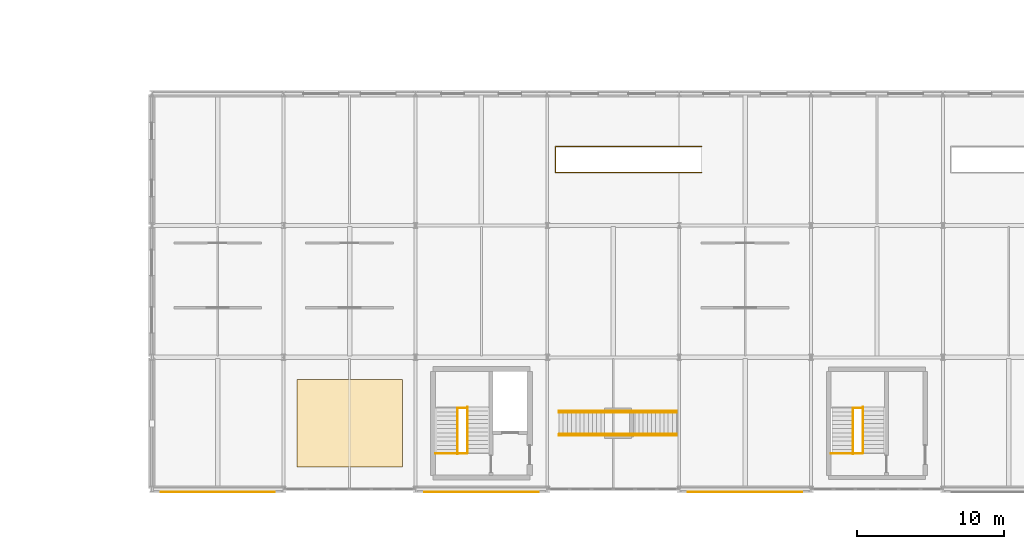
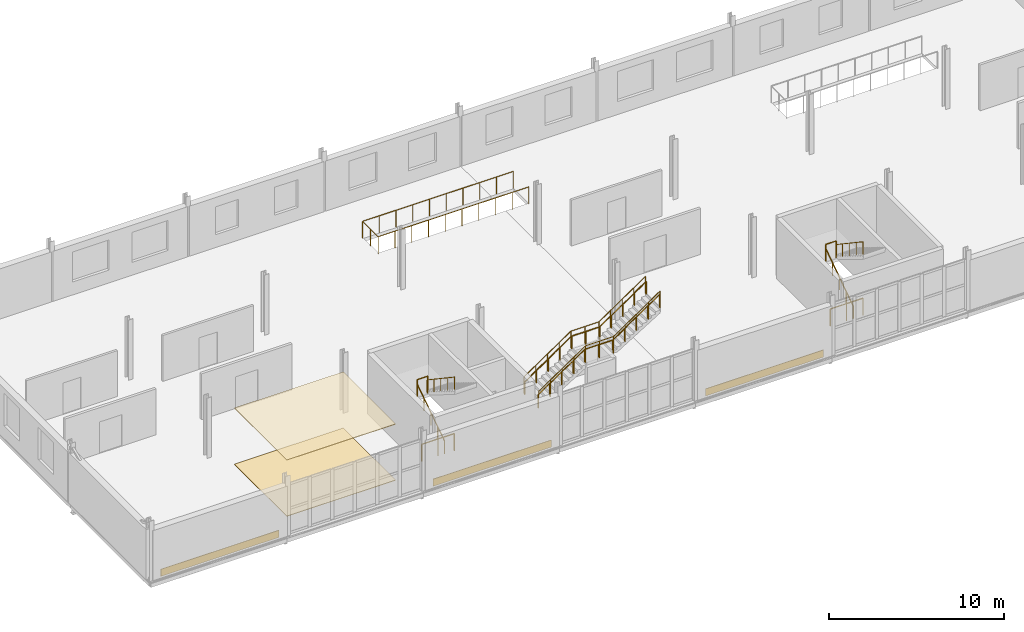
# One storey, part 151 of 161: 13 railings, 5 coverings.
"""IFC4 building model written with IfcOpenShell, lengths in metres."""

import ifcopenshell
import ifcopenshell.guid

model = None  # the IFC model being written
_history = None  # IfcOwnerHistory: only IFC2X3 demands one
_inside = {}  # id of a spatial element -> (the spatial element, [elements in it])
_under = {}  # id of a project, library or spatial element -> (it, [spatial elements below it])
_declared = {}  # id of a project -> (the project, [libraries it declares])
_typed = {}  # id of a type object -> (the type object, [elements of that type])
_made_of = {}  # id of a material, layer set ... -> (it, [elements and type objects made of it])


def new_model(schema):
    """Start an empty IFC model of exactly this schema.

    Asked for "IFC4X3", IfcOpenShell would pick the latest addendum, in which some entities
    have other attributes; the version numbers below select the first issue.
    IFC2X3 requires an IfcOwnerHistory on every rooted entity: one is made here for all.
    """
    global model, _history
    if schema == "IFC4X3":
        model = ifcopenshell.file(schema_version=(4, 3, 0, 0))
    else:
        model = ifcopenshell.file(schema=schema)
    _inside.clear()
    _under.clear()
    _declared.clear()
    _typed.clear()
    _made_of.clear()
    _history = None
    if model.schema == "IFC2X3":
        org = make("IfcOrganization", Name="unknown")
        user = make(
            "IfcPersonAndOrganization",
            ThePerson=make("IfcPerson", FamilyName="unknown"),
            TheOrganization=org,
        )
        app = make(
            "IfcApplication",
            ApplicationDeveloper=org,
            Version="unknown",
            ApplicationFullName="unknown",
            ApplicationIdentifier="unknown",
        )
        _history = make(
            "IfcOwnerHistory",
            OwningUser=user,
            OwningApplication=app,
            ChangeAction="ADDED",
            CreationDate=0,
        )
    return model


def make(cls, **values):
    """One entity of the class cls with the attributes given. An attribute that is None is left unset."""
    return model.create_entity(
        cls, **{name: value for name, value in values.items() if value is not None}
    )


def rooted(cls, **values):
    """An entity with a GlobalId (a new one), such as an element, a storey or a relation."""
    return make(cls, GlobalId=ifcopenshell.guid.new(), OwnerHistory=_history, **values)


def si_unit(unit_type, name, prefix=None):
    """IfcSIUnit, for example si_unit("LENGTHUNIT", "METRE", prefix="MILLI")."""
    return make("IfcSIUnit", UnitType=unit_type, Prefix=prefix, Name=name)


def assignment(units):
    """IfcUnitAssignment: the units of a project."""
    return None if units is None else make("IfcUnitAssignment", Units=units)


def point(xyz):
    """IfcCartesianPoint."""
    return None if xyz is None else make("IfcCartesianPoint", Coordinates=xyz)


def direction(xyz):
    """IfcDirection."""
    return None if xyz is None else make("IfcDirection", DirectionRatios=xyz)


def frame(location, z_axis=None, x_axis=None):
    """IfcAxis2Placement3D, a coordinate frame: its origin and axes. An axis left out is left unset."""
    return make(
        "IfcAxis2Placement3D",
        Location=point(location),
        Axis=direction(z_axis),
        RefDirection=direction(x_axis),
    )


def frame_2d(location, x_axis=None):
    """IfcAxis2Placement2D, a coordinate frame in the plane: its origin and x axis."""
    return make(
        "IfcAxis2Placement2D", Location=point(location), RefDirection=direction(x_axis)
    )


def origin():
    """The frame at (0, 0, 0) with its axes left unset."""
    return frame((0.0, 0.0, 0.0))


def origin_2d():
    """The frame at (0, 0) in the plane with its x axis left unset."""
    return frame_2d((0.0, 0.0))


def place(relative_to, where):
    """IfcLocalPlacement: puts the frame where relative to a parent placement (None: the world)."""
    return make(
        "IfcLocalPlacement", PlacementRelTo=relative_to, RelativePlacement=where
    )


def context(
    kind, dimensions, precision=None, world=None, true_north=None, identifier=None
):
    """IfcGeometricRepresentationContext, for example the 3D "Model" context."""
    return make(
        "IfcGeometricRepresentationContext",
        ContextIdentifier=identifier,
        ContextType=kind,
        CoordinateSpaceDimension=dimensions,
        Precision=precision,
        WorldCoordinateSystem=world,
        TrueNorth=true_north,
    )


def subcontext(parent, identifier, kind, view, scale=None):
    """IfcGeometricRepresentationSubContext, for example "Body" below "Model"."""
    return make(
        "IfcGeometricRepresentationSubContext",
        ContextIdentifier=identifier,
        ContextType=kind,
        ParentContext=parent,
        TargetScale=scale,
        TargetView=view,
    )


def project(units=None, contexts=None):
    """IfcProject with its units and contexts."""
    return rooted(
        "IfcProject",
        Name="project",
        RepresentationContexts=contexts,
        UnitsInContext=assignment(units),
    )


def spatial(cls, under=None, at=None, **own):
    """A site, building, storey or space (cls), placed at a placement, below another one or the project."""
    s = rooted(cls, ObjectPlacement=at, **own)
    if under is not None:
        _under.setdefault(under.id(), (under, []))[1].append(s)
    return s


def profile(cls, at=None, kind="AREA", **sizes):
    """A parametric profile (cls). Its sizes go by their IFC names, for example OverallWidth=200.0."""
    return make(cls, ProfileType=kind, Position=at, **sizes)


def rectangle(**sizes):
    """IfcRectangleProfileDef."""
    return profile("IfcRectangleProfileDef", **sizes)


def circle(**sizes):
    """IfcCircleProfileDef."""
    return profile("IfcCircleProfileDef", **sizes)


def extrude(swept, where, along, depth):
    """IfcExtrudedAreaSolid: the profile swept, set in the frame where, extruded along a direction by depth."""
    return make(
        "IfcExtrudedAreaSolid",
        SweptArea=swept,
        Position=where,
        ExtrudedDirection=direction(along),
        Depth=depth,
    )


def shape(context_of_items, identifier, shape_type, items):
    """IfcShapeRepresentation: the items that make up one representation, for example the "Body"."""
    return make(
        "IfcShapeRepresentation",
        ContextOfItems=context_of_items,
        RepresentationIdentifier=identifier,
        RepresentationType=shape_type,
        Items=items,
    )


def material(Name=None, Category=None):
    """IfcMaterial."""
    return make("IfcMaterial", Name=Name, Category=Category)


def layer(
    of_material, thickness, ventilated=None, Name=None, Category=None, Priority=None
):
    """IfcMaterialLayer: one layer of a wall or slab, of a material (None: an air gap)."""
    return make(
        "IfcMaterialLayer",
        Material=of_material,
        LayerThickness=thickness,
        IsVentilated=ventilated,
        Name=Name,
        Category=Category,
        Priority=Priority,
    )


def layer_set(layers, Name=None):
    """IfcMaterialLayerSet."""
    return make("IfcMaterialLayerSet", MaterialLayers=layers, LayerSetName=Name)


def made_of(thing, what):
    """Note that an element or type object is made of a material, layer set ...; save() writes the relation."""
    if what is not None:
        _made_of.setdefault(what.id(), (what, []))[1].append(thing)
    return thing


def type_object(cls, material=None, **own):
    """A type object (cls), such as IfcWallType, which elements share."""
    return made_of(rooted(cls, **own), material)


def element(
    cls,
    number,
    at=None,
    inside=None,
    cuts=None,
    type_object=None,
    material=None,
    context=None,
    identifier="Body",
    shape_type=None,
    held_by="IfcProductDefinitionShape",
    body=None,
    shapes=None,
    **own,
):
    """One element of the class cls, such as IfcWall. Its Tag is "e" and its number.

    at: its placement. inside: the storey or other place that contains it. cuts: it is an
    opening in that element (IfcRelVoidsElement). A single representation is given by context,
    identifier, shape_type and body (its items); several are given by shapes. held_by: the class
    of the entity that holds the representations. save() writes the other relations.
    """
    e = rooted(cls, Tag="e%d" % number, ObjectPlacement=at, **own)
    if body is not None:
        shapes = [shape(context, identifier, shape_type, body)]
    if shapes is not None:
        e.Representation = make(held_by, Representations=shapes)
    if inside is not None:
        _inside.setdefault(inside.id(), (inside, []))[1].append(e)
    if cuts is not None:
        rooted(
            "IfcRelVoidsElement", RelatingBuildingElement=cuts, RelatedOpeningElement=e
        )
    if type_object is not None:
        _typed.setdefault(type_object.id(), (type_object, []))[1].append(e)
    return made_of(e, material)


def aggregate(whole, parts):
    """IfcRelAggregates: a whole, such as a stair, and the parts it consists of."""
    return rooted("IfcRelAggregates", RelatingObject=whole, RelatedObjects=parts)


def save(model, path):
    """Write the relations noted so far, then the file.

    IfcRelAggregates (storeys below a building ...), IfcRelContainedInSpatialStructure (elements
    in a storey), IfcRelDefinesByType, IfcRelAssociatesMaterial and IfcRelDeclares: one each for
    every whole, place, type object, material and project.
    """
    for whole, parts in _under.values():
        aggregate(whole, parts)
    for where, things in _inside.values():
        rooted(
            "IfcRelContainedInSpatialStructure",
            RelatedElements=things,
            RelatingStructure=where,
        )
    for kind, things in _typed.values():
        rooted("IfcRelDefinesByType", RelatedObjects=things, RelatingType=kind)
    for what, things in _made_of.values():
        rooted("IfcRelAssociatesMaterial", RelatedObjects=things, RelatingMaterial=what)
    for by, libraries in _declared.values():
        rooted("IfcRelDeclares", RelatingContext=by, RelatedDefinitions=libraries)
    model.write(path)


model = new_model("IFC4")

# Units and contexts
model_context = context("Model", 3, precision=1e-05, world=origin(), true_north=direction((0.0, 1.0)))
body_context = subcontext(model_context, "Body", "Model", "MODEL_VIEW")
ifc_project = project(units=[si_unit("LENGTHUNIT", "METRE"), si_unit("AREAUNIT", "SQUARE_METRE"), si_unit("VOLUMEUNIT", "CUBIC_METRE"), si_unit("PLANEANGLEUNIT", "RADIAN"), si_unit("MASSUNIT", "GRAM", prefix="KILO")], contexts=[model_context])

# Site, building, storey
site_placement = place(None, origin())
site = spatial("IfcSite", under=ifc_project, at=site_placement, CompositionType="ELEMENT")
building_placement = place(site_placement, origin())
building = spatial("IfcBuilding", under=site, at=building_placement, Name="Kildeholm Park Wholesale Market", CompositionType="ELEMENT")
storey_placement = place(building_placement, frame((0.0, 0.0, 5.39990234375)))
storey = spatial("IfcBuildingStorey", under=building, at=storey_placement, Name="L01", CompositionType="ELEMENT", Elevation=5.39990234375)

# Coverings
ifc_material_1 = material(Name="Polished terrazzo flooring")
ifc_layer_1 = layer(ifc_material_1, 0.030029296875)
ifc_layer_set_1 = layer_set([ifc_layer_1], Name="Polished terrazzo flooring")
covering_type_1 = type_object("IfcCoveringType", Name="Heavy-duty terrazzo market flooring CV-FLR1 30 mm", PredefinedType="FLOORING", material=ifc_layer_set_1)
covering_1_placement = place(storey_placement, frame((22.5, 4.5, 0.0), z_axis=(0.0, 0.0, 1.0), x_axis=(1.0, 0.0, 0.0)))
element("IfcCovering", 1, at=covering_1_placement, inside=storey, type_object=covering_type_1, Name="Market floor finish 7 COV-0053", PredefinedType="FLOORING", context=body_context, shape_type="SweptSolid", body=[
    extrude(rectangle(XDim=7.199951171875, YDim=6.0, at=origin_2d()), origin(), (0.0, 0.0, 1.0), 0.030029296875),
])
ifc_material_2 = material(Name="Washable acoustic mineral-fibre and aluminium ceiling", Category="aluminium")
ifc_layer_2 = layer(ifc_material_2, 0.044921875)
ifc_layer_set_2 = layer_set([ifc_layer_2], Name="Washable acoustic mineral-fibre and aluminium ceiling")
covering_type_2 = type_object("IfcCoveringType", Name="Hygienic acoustic suspended ceiling CV-CLG1 45 mm", PredefinedType="CEILING", material=ifc_layer_set_2)
covering_2_placement = place(storey_placement, frame((22.5, 4.5, 3.9150390625), z_axis=(0.0, 0.0, 1.0), x_axis=(1.0, 0.0, 0.0)))
element("IfcCovering", 2, at=covering_2_placement, inside=storey, type_object=covering_type_2, Name="Acoustic ceiling 7 COV-0054", PredefinedType="CEILING", context=body_context, shape_type="SweptSolid", body=[
    extrude(rectangle(XDim=7.199951171875, YDim=6.0, at=origin_2d()), origin(), (0.0, 0.0, 1.0), 0.044921875),
])

# Railings
ifc_material_3 = material(Name="Painted steel and laminated glass balustrade", Category="steel")
railing_type_1 = type_object("IfcRailingType", Name="Interior gallery and stairwell guard GR-IN1 1200 mm", PredefinedType="GUARDRAIL", material=ifc_material_3)
railing_1_placement = place(storey_placement, frame((28.360107421875, 2.429931640625, 0.0)))
element("IfcRailing", 3, at=railing_1_placement, inside=storey, type_object=railing_type_1, Name="Stair C04 upper floor well guard L01 RLG-0051", PredefinedType="GUARDRAIL", context=body_context, shape_type="SweptSolid", body=[
    extrude(circle(Radius=0.02392578125, at=origin_2d()), frame((0.0, 0.0, 1.17578125), z_axis=(1.0, 0.0, 0.0), x_axis=(0.0, 1.0, 0.0)), (0.0, 0.0, 1.0), 2.14990234375),
    extrude(circle(Radius=0.02099609375, at=origin_2d()), origin(), (0.0, 0.0, 1.0), 1.15185546875),
    extrude(circle(Radius=0.02099609375, at=origin_2d()), frame((1.074951171875, 0.0, 0.0)), (0.0, 0.0, 1.0), 1.15185546875),
    extrude(circle(Radius=0.02099609375, at=origin_2d()), frame((2.14990234375, 0.0, 0.0)), (0.0, 0.0, 1.0), 1.15185546875),
])
railing_2_placement = place(storey_placement, frame((29.860107421875, 5.544921875, 2.10009765625)))
element("IfcRailing", 4, at=railing_2_placement, inside=storey, type_object=railing_type_1, Name="Stair C04 half-landing well guard L01 RLG-0054", PredefinedType="GUARDRAIL", context=body_context, shape_type="SweptSolid", body=[
    extrude(circle(Radius=0.02392578125, at=origin_2d()), frame((0.0, 0.0, 1.17578125), z_axis=(1.0, 0.0, 0.0), x_axis=(0.0, 1.0, 0.0)), (0.0, 0.0, 1.0), 0.68994140625),
    extrude(circle(Radius=0.02099609375, at=origin_2d()), origin(), (0.0, 0.0, 1.0), 1.15185546875),
    extrude(circle(Radius=0.02099609375, at=origin_2d()), frame((0.68994140625, 0.0, 0.0)), (0.0, 0.0, 1.0), 1.15185546875),
])
railing_3_placement = place(storey_placement, frame((55.360107421875, 2.429931640625, 0.0)))
element("IfcRailing", 5, at=railing_3_placement, inside=storey, type_object=railing_type_1, Name="Stair C05 upper floor well guard L01 RLG-0063", PredefinedType="GUARDRAIL", context=body_context, shape_type="SweptSolid", body=[
    extrude(circle(Radius=0.02392578125, at=origin_2d()), frame((0.0, 0.0, 1.17578125), z_axis=(1.0, 0.0, 0.0), x_axis=(0.0, 1.0, 0.0)), (0.0, 0.0, 1.0), 2.14990234375),
    extrude(circle(Radius=0.02099609375, at=origin_2d()), origin(), (0.0, 0.0, 1.0), 1.15185546875),
    extrude(circle(Radius=0.02099609375, at=origin_2d()), frame((1.074951171875, 0.0, 0.0)), (0.0, 0.0, 1.0), 1.15185546875),
    extrude(circle(Radius=0.02099609375, at=origin_2d()), frame((2.14990234375, 0.0, 0.0)), (0.0, 0.0, 1.0), 1.15185546875),
])
railing_4_placement = place(storey_placement, frame((56.860107421875, 5.544921875, 2.10009765625)))
element("IfcRailing", 6, at=railing_4_placement, inside=storey, type_object=railing_type_1, Name="Stair C05 half-landing well guard L01 RLG-0066", PredefinedType="GUARDRAIL", context=body_context, shape_type="SweptSolid", body=[
    extrude(circle(Radius=0.02392578125, at=origin_2d()), frame((0.0, 0.0, 1.17578125), z_axis=(1.0, 0.0, 0.0), x_axis=(0.0, 1.0, 0.0)), (0.0, 0.0, 1.0), 0.68994140625),
    extrude(circle(Radius=0.02099609375, at=origin_2d()), origin(), (0.0, 0.0, 1.0), 1.15185546875),
    extrude(circle(Radius=0.02099609375, at=origin_2d()), frame((0.68994140625, 0.0, 0.0)), (0.0, 0.0, 1.0), 1.15185546875),
])
railing_5_placement = place(storey_placement, frame((46.510009765625, 21.610107421875, 0.0)))
element("IfcRailing", 7, at=railing_5_placement, inside=storey, type_object=railing_type_1, Name="Feature stair well guard ST-FT01 RLG-0158", PredefinedType="GUARDRAIL", context=body_context, shape_type="SweptSolid", body=[
    extrude(circle(Radius=0.02392578125, at=origin_2d()), frame((0.0, 0.0, 1.17578125), z_axis=(-1.0, 0.0, 0.0), x_axis=(0.0, -1.0, 0.0)), (0.0, 0.0, 1.0), 9.9599609375),
    extrude(circle(Radius=0.02392578125, at=origin_2d()), frame((-9.9599609375, 0.0, 1.17578125), z_axis=(0.0, 1.0, 0.0), x_axis=(-1.0, 0.0, 0.0)), (0.0, 0.0, 1.0), 1.77978515625),
    extrude(circle(Radius=0.02392578125, at=origin_2d()), frame((-9.9599609375, 1.77978515625, 1.17578125), z_axis=(1.0, 0.0, 0.0), x_axis=(0.0, 1.0, 0.0)), (0.0, 0.0, 1.0), 9.9599609375),
    extrude(circle(Radius=0.02099609375, at=origin_2d()), origin(), (0.0, 0.0, 1.0), 1.15185546875),
    extrude(circle(Radius=0.02099609375, at=origin_2d()), frame((-1.106689453125, 0.0, 0.0)), (0.0, 0.0, 1.0), 1.15185546875),
    extrude(circle(Radius=0.02099609375, at=origin_2d()), frame((-2.21337890625, 0.0, 0.0)), (0.0, 0.0, 1.0), 1.15185546875),
    extrude(circle(Radius=0.02099609375, at=origin_2d()), frame((-3.320068359375, 0.0, 0.0)), (0.0, 0.0, 1.0), 1.15185546875),
    extrude(circle(Radius=0.02099609375, at=origin_2d()), frame((-4.4267578125, 0.0, 0.0)), (0.0, 0.0, 1.0), 1.15185546875),
    extrude(circle(Radius=0.02099609375, at=origin_2d()), frame((-5.533203125, 0.0, 0.0)), (0.0, 0.0, 1.0), 1.15185546875),
    extrude(circle(Radius=0.02099609375, at=origin_2d()), frame((-6.639892578125, 0.0, 0.0)), (0.0, 0.0, 1.0), 1.15185546875),
    extrude(circle(Radius=0.02099609375, at=origin_2d()), frame((-7.74658203125, 0.0, 0.0)), (0.0, 0.0, 1.0), 1.15185546875),
    extrude(circle(Radius=0.02099609375, at=origin_2d()), frame((-8.853271484375, 0.0, 0.0)), (0.0, 0.0, 1.0), 1.15185546875),
    extrude(circle(Radius=0.02099609375, at=origin_2d()), frame((-9.9599609375, 0.0, 0.0)), (0.0, 0.0, 1.0), 1.15185546875),
    extrude(circle(Radius=0.02099609375, at=origin_2d()), frame((-9.9599609375, 0.889892578125, 0.0)), (0.0, 0.0, 1.0), 1.15185546875),
    extrude(circle(Radius=0.02099609375, at=origin_2d()), frame((-9.9599609375, 1.77978515625, 0.0)), (0.0, 0.0, 1.0), 1.15185546875),
    extrude(circle(Radius=0.02099609375, at=origin_2d()), frame((-8.853271484375, 1.77978515625, 0.0)), (0.0, 0.0, 1.0), 1.15185546875),
    extrude(circle(Radius=0.02099609375, at=origin_2d()), frame((-7.74658203125, 1.77978515625, 0.0)), (0.0, 0.0, 1.0), 1.15185546875),
    extrude(circle(Radius=0.02099609375, at=origin_2d()), frame((-6.639892578125, 1.77978515625, 0.0)), (0.0, 0.0, 1.0), 1.15185546875),
    extrude(circle(Radius=0.02099609375, at=origin_2d()), frame((-5.533203125, 1.77978515625, 0.0)), (0.0, 0.0, 1.0), 1.15185546875),
    extrude(circle(Radius=0.02099609375, at=origin_2d()), frame((-4.4267578125, 1.77978515625, 0.0)), (0.0, 0.0, 1.0), 1.15185546875),
    extrude(circle(Radius=0.02099609375, at=origin_2d()), frame((-3.320068359375, 1.77978515625, 0.0)), (0.0, 0.0, 1.0), 1.15185546875),
    extrude(circle(Radius=0.02099609375, at=origin_2d()), frame((-2.21337890625, 1.77978515625, 0.0)), (0.0, 0.0, 1.0), 1.15185546875),
    extrude(circle(Radius=0.02099609375, at=origin_2d()), frame((-1.106689453125, 1.77978515625, 0.0)), (0.0, 0.0, 1.0), 1.15185546875),
    extrude(circle(Radius=0.02099609375, at=origin_2d()), frame((0.0, 1.77978515625, 0.0)), (0.0, 0.0, 1.0), 1.15185546875),
])
railing_6_placement = place(storey_placement, frame((36.800048828125, 3.659912109375, 0.0)))
element("IfcRailing", 8, at=railing_6_placement, inside=storey, type_object=railing_type_1, Name="Feature stair guard ST-FT04 S RLG-0169", PredefinedType="GUARDRAIL", context=body_context, shape_type="SweptSolid", body=[
    extrude(circle(Radius=0.02392578125, at=origin_2d()), frame((0.0, 0.0, 1.17578125), z_axis=(0.827483356406, 0.0, 0.56149024468), x_axis=(0.0, 1.0, 0.0)), (0.0, 0.0, 1.0), 3.740234375),
    extrude(circle(Radius=0.02392578125, at=origin_2d()), frame((3.094970703125, 0.0, 3.27587890625), z_axis=(1.0, 0.0, 0.0), x_axis=(0.0, 1.0, 0.0)), (0.0, 0.0, 1.0), 1.85009765625),
    extrude(circle(Radius=0.02392578125, at=origin_2d()), frame((4.945068359375, 0.0, 3.27587890625), z_axis=(0.825784597055, 0.0, 0.563985637465), x_axis=(0.0, 1.0, 0.0)), (0.0, 0.0, 1.0), 3.7236328125),
    extrude(circle(Radius=0.02099609375, at=origin_2d()), origin(), (0.0, 0.0, 1.0), 1.15185546875),
    extrude(circle(Radius=0.02099609375, at=origin_2d()), frame((0.773681640625, 0.0, 0.52490234375)), (0.0, 0.0, 1.0), 1.15185546875),
    extrude(circle(Radius=0.02099609375, at=origin_2d()), frame((1.54736328125, 0.0, 1.050048828125)), (0.0, 0.0, 1.0), 1.15185546875),
    extrude(circle(Radius=0.02099609375, at=origin_2d()), frame((2.3212890625, 0.0, 1.5751953125)), (0.0, 0.0, 1.0), 1.15185546875),
    extrude(circle(Radius=0.02099609375, at=origin_2d()), frame((3.094970703125, 0.0, 2.10009765625)), (0.0, 0.0, 1.0), 1.15185546875),
    extrude(circle(Radius=0.02099609375, at=origin_2d()), frame((4.02001953125, 0.0, 2.10009765625)), (0.0, 0.0, 1.0), 1.15185546875),
    extrude(circle(Radius=0.02099609375, at=origin_2d()), frame((4.945068359375, 0.0, 2.10009765625)), (0.0, 0.0, 1.0), 1.15185546875),
    extrude(circle(Radius=0.02099609375, at=origin_2d()), frame((5.7138671875, 0.0, 2.625)), (0.0, 0.0, 1.0), 1.15185546875),
    extrude(circle(Radius=0.02099609375, at=origin_2d()), frame((6.482421875, 0.0, 3.150146484375)), (0.0, 0.0, 1.0), 1.15185546875),
    extrude(circle(Radius=0.02099609375, at=origin_2d()), frame((7.251220703125, 0.0, 3.67529296875)), (0.0, 0.0, 1.0), 1.15185546875),
    extrude(circle(Radius=0.02099609375, at=origin_2d()), frame((8.02001953125, 0.0, 4.2001953125)), (0.0, 0.0, 1.0), 1.15185546875),
])
railing_7_placement = place(storey_placement, frame((36.800048828125, 5.340087890625, 0.0)))
element("IfcRailing", 9, at=railing_7_placement, inside=storey, type_object=railing_type_1, Name="Feature stair guard ST-FT04 N RLG-0171", PredefinedType="GUARDRAIL", context=body_context, shape_type="SweptSolid", body=[
    extrude(circle(Radius=0.02392578125, at=origin_2d()), frame((0.0, 0.0, 1.17578125), z_axis=(0.827483356406, 0.0, 0.56149024468), x_axis=(0.0, 1.0, 0.0)), (0.0, 0.0, 1.0), 3.740234375),
    extrude(circle(Radius=0.02392578125, at=origin_2d()), frame((3.094970703125, 0.0, 3.27587890625), z_axis=(1.0, 0.0, 0.0), x_axis=(0.0, 1.0, 0.0)), (0.0, 0.0, 1.0), 1.85009765625),
    extrude(circle(Radius=0.02392578125, at=origin_2d()), frame((4.945068359375, 0.0, 3.27587890625), z_axis=(0.825784597055, 0.0, 0.563985637465), x_axis=(0.0, 1.0, 0.0)), (0.0, 0.0, 1.0), 3.7236328125),
    extrude(circle(Radius=0.02099609375, at=origin_2d()), origin(), (0.0, 0.0, 1.0), 1.15185546875),
    extrude(circle(Radius=0.02099609375, at=origin_2d()), frame((0.773681640625, 0.0, 0.52490234375)), (0.0, 0.0, 1.0), 1.15185546875),
    extrude(circle(Radius=0.02099609375, at=origin_2d()), frame((1.54736328125, 0.0, 1.050048828125)), (0.0, 0.0, 1.0), 1.15185546875),
    extrude(circle(Radius=0.02099609375, at=origin_2d()), frame((2.3212890625, 0.0, 1.5751953125)), (0.0, 0.0, 1.0), 1.15185546875),
    extrude(circle(Radius=0.02099609375, at=origin_2d()), frame((3.094970703125, 0.0, 2.10009765625)), (0.0, 0.0, 1.0), 1.15185546875),
    extrude(circle(Radius=0.02099609375, at=origin_2d()), frame((4.02001953125, 0.0, 2.10009765625)), (0.0, 0.0, 1.0), 1.15185546875),
    extrude(circle(Radius=0.02099609375, at=origin_2d()), frame((4.945068359375, 0.0, 2.10009765625)), (0.0, 0.0, 1.0), 1.15185546875),
    extrude(circle(Radius=0.02099609375, at=origin_2d()), frame((5.7138671875, 0.0, 2.625)), (0.0, 0.0, 1.0), 1.15185546875),
    extrude(circle(Radius=0.02099609375, at=origin_2d()), frame((6.482421875, 0.0, 3.150146484375)), (0.0, 0.0, 1.0), 1.15185546875),
    extrude(circle(Radius=0.02099609375, at=origin_2d()), frame((7.251220703125, 0.0, 3.67529296875)), (0.0, 0.0, 1.0), 1.15185546875),
    extrude(circle(Radius=0.02099609375, at=origin_2d()), frame((8.02001953125, 0.0, 4.2001953125)), (0.0, 0.0, 1.0), 1.15185546875),
])

# Coverings
ifc_material_4 = material(Name="Polychrome broken-tile glazed ceramic mosaic")
ifc_layer_3 = layer(ifc_material_4, 0.034912109375)
ifc_layer_set_3 = layer_set([ifc_layer_3], Name="Polychrome broken-tile glazed ceramic mosaic")
covering_type_3 = type_object("IfcCoveringType", Name="Polychrome ceramic mosaic spandrel cladding CV-CL1", PredefinedType="CLADDING", material=ifc_layer_set_3)
for number, where, z_axis, x_axis, name in (
    (10, (13.5, -0.179931640625, 0.10009765625), (0.0, 0.0, 1.0), (1.0, 0.0, 0.0), "Polychrome ceramic mosaic spandrel V5W-L01-1 COV-0025"),
    (11, (31.5, -0.179931640625, 0.10009765625), (0.0, 0.0, 1.0), (1.0, 0.0, 0.0), "Polychrome ceramic mosaic spandrel V5W-L01-3 COV-0026"),
    (12, (49.5, -0.179931640625, 0.10009765625), (0.0, 0.0, 1.0), (1.0, 0.0, 0.0), "Polychrome ceramic mosaic spandrel V5W-L01-5 COV-0027"),
):
    element("IfcCovering", number, at=place(storey_placement, frame(where, z_axis=z_axis, x_axis=x_axis)), inside=storey, type_object=covering_type_3, Name=name, PredefinedType="CLADDING", context=body_context, shape_type="SweptSolid", body=[
        extrude(rectangle(XDim=7.800048828125, YDim=0.034912109375, at=origin_2d()), origin(), (0.0, 0.0, 1.0), 0.5),
    ])

# Railings
ifc_material_5 = material(Name="Stainless steel AISI 316 handrail", Category="steel")
railing_type_2 = type_object("IfcRailingType", Name="Stair flight handrail HR-IN1 900 mm", PredefinedType="HANDRAIL", material=ifc_material_5)
railing_8_placement = place(storey_placement, frame((29.860107421875, 2.419921875, 0.0)))
element("IfcRailing", 13, at=railing_8_placement, inside=storey, type_object=railing_type_2, Name="Stair C04 flight 1 handrail L01 RLG-0056", PredefinedType="HANDRAIL", context=body_context, shape_type="SweptSolid", body=[
    extrude(circle(Radius=0.02392578125, at=origin_2d()), frame((0.0, 0.0, 0.8759765625), z_axis=(0.0, 0.830813955726, 0.556550241192), x_axis=(-1.0, 0.0, 0.0)), (0.0, 0.0, 1.0), 3.7734375),
    extrude(circle(Radius=0.02099609375, at=origin_2d()), origin(), (0.0, 0.0, 1.0), 0.851806640625),
    extrude(circle(Radius=0.02099609375, at=origin_2d()), frame((0.0, 0.78369140625, 0.52490234375)), (0.0, 0.0, 1.0), 0.851806640625),
    extrude(circle(Radius=0.02099609375, at=origin_2d()), frame((0.0, 1.5673828125, 1.050048828125)), (0.0, 0.0, 1.0), 0.851806640625),
    extrude(circle(Radius=0.02099609375, at=origin_2d()), frame((0.0, 2.351318359375, 1.5751953125)), (0.0, 0.0, 1.0), 0.851806640625),
    extrude(circle(Radius=0.02099609375, at=origin_2d()), frame((0.0, 3.135009765625, 2.10009765625)), (0.0, 0.0, 1.0), 0.851806640625),
])
railing_9_placement = place(storey_placement, frame((30.550048828125, 5.614990234375, 2.10009765625)))
element("IfcRailing", 14, at=railing_9_placement, inside=storey, type_object=railing_type_2, Name="Stair C04 flight 2 handrail L01 RLG-0057", PredefinedType="HANDRAIL", context=body_context, shape_type="SweptSolid", body=[
    extrude(circle(Radius=0.02392578125, at=origin_2d()), frame((0.0, 0.0, 0.8759765625), z_axis=(0.0, -0.830813955726, 0.556550241192), x_axis=(1.0, 0.0, 0.0)), (0.0, 0.0, 1.0), 3.7734375),
    extrude(circle(Radius=0.02099609375, at=origin_2d()), origin(), (0.0, 0.0, 1.0), 0.851806640625),
    extrude(circle(Radius=0.02099609375, at=origin_2d()), frame((0.0, -0.78369140625, 0.52490234375)), (0.0, 0.0, 1.0), 0.851806640625),
    extrude(circle(Radius=0.02099609375, at=origin_2d()), frame((0.0, -1.5673828125, 1.050048828125)), (0.0, 0.0, 1.0), 0.851806640625),
    extrude(circle(Radius=0.02099609375, at=origin_2d()), frame((0.0, -2.351318359375, 1.5751953125)), (0.0, 0.0, 1.0), 0.851806640625),
    extrude(circle(Radius=0.02099609375, at=origin_2d()), frame((0.0, -3.135009765625, 2.10009765625)), (0.0, 0.0, 1.0), 0.851806640625),
])
railing_10_placement = place(storey_placement, frame((56.860107421875, 2.419921875, 0.0)))
element("IfcRailing", 15, at=railing_10_placement, inside=storey, type_object=railing_type_2, Name="Stair C05 flight 1 handrail L01 RLG-0068", PredefinedType="HANDRAIL", context=body_context, shape_type="SweptSolid", body=[
    extrude(circle(Radius=0.02392578125, at=origin_2d()), frame((0.0, 0.0, 0.8759765625), z_axis=(0.0, 0.830813955726, 0.556550241192), x_axis=(-1.0, 0.0, 0.0)), (0.0, 0.0, 1.0), 3.7734375),
    extrude(circle(Radius=0.02099609375, at=origin_2d()), origin(), (0.0, 0.0, 1.0), 0.851806640625),
    extrude(circle(Radius=0.02099609375, at=origin_2d()), frame((0.0, 0.78369140625, 0.52490234375)), (0.0, 0.0, 1.0), 0.851806640625),
    extrude(circle(Radius=0.02099609375, at=origin_2d()), frame((0.0, 1.5673828125, 1.050048828125)), (0.0, 0.0, 1.0), 0.851806640625),
    extrude(circle(Radius=0.02099609375, at=origin_2d()), frame((0.0, 2.351318359375, 1.5751953125)), (0.0, 0.0, 1.0), 0.851806640625),
    extrude(circle(Radius=0.02099609375, at=origin_2d()), frame((0.0, 3.135009765625, 2.10009765625)), (0.0, 0.0, 1.0), 0.851806640625),
])
railing_11_placement = place(storey_placement, frame((57.550048828125, 5.614990234375, 2.10009765625)))
element("IfcRailing", 16, at=railing_11_placement, inside=storey, type_object=railing_type_2, Name="Stair C05 flight 2 handrail L01 RLG-0069", PredefinedType="HANDRAIL", context=body_context, shape_type="SweptSolid", body=[
    extrude(circle(Radius=0.02392578125, at=origin_2d()), frame((0.0, 0.0, 0.8759765625), z_axis=(0.0, -0.830813955726, 0.556550241192), x_axis=(1.0, 0.0, 0.0)), (0.0, 0.0, 1.0), 3.7734375),
    extrude(circle(Radius=0.02099609375, at=origin_2d()), origin(), (0.0, 0.0, 1.0), 0.851806640625),
    extrude(circle(Radius=0.02099609375, at=origin_2d()), frame((0.0, -0.78369140625, 0.52490234375)), (0.0, 0.0, 1.0), 0.851806640625),
    extrude(circle(Radius=0.02099609375, at=origin_2d()), frame((0.0, -1.5673828125, 1.050048828125)), (0.0, 0.0, 1.0), 0.851806640625),
    extrude(circle(Radius=0.02099609375, at=origin_2d()), frame((0.0, -2.351318359375, 1.5751953125)), (0.0, 0.0, 1.0), 0.851806640625),
    extrude(circle(Radius=0.02099609375, at=origin_2d()), frame((0.0, -3.135009765625, 2.10009765625)), (0.0, 0.0, 1.0), 0.851806640625),
])
railing_12_placement = place(storey_placement, frame((36.800048828125, 3.743896484375, 0.0)))
element("IfcRailing", 17, at=railing_12_placement, inside=storey, type_object=railing_type_2, Name="Feature stair handrail ST-FT04 S RLG-0170", PredefinedType="HANDRAIL", context=body_context, shape_type="SweptSolid", body=[
    extrude(circle(Radius=0.02392578125, at=origin_2d()), frame((0.0, 0.0, 0.8759765625), z_axis=(0.827483356406, 0.0, 0.56149024468), x_axis=(0.0, 1.0, 0.0)), (0.0, 0.0, 1.0), 3.740234375),
    extrude(circle(Radius=0.02392578125, at=origin_2d()), frame((3.094970703125, 0.0, 2.97607421875), z_axis=(1.0, 0.0, 0.0), x_axis=(0.0, 1.0, 0.0)), (0.0, 0.0, 1.0), 1.85009765625),
    extrude(circle(Radius=0.02392578125, at=origin_2d()), frame((4.945068359375, 0.0, 2.97607421875), z_axis=(0.825784597055, 0.0, 0.563985637465), x_axis=(0.0, 1.0, 0.0)), (0.0, 0.0, 1.0), 3.7236328125),
    extrude(circle(Radius=0.02099609375, at=origin_2d()), origin(), (0.0, 0.0, 1.0), 0.851806640625),
    extrude(circle(Radius=0.02099609375, at=origin_2d()), frame((0.773681640625, 0.0, 0.52490234375)), (0.0, 0.0, 1.0), 0.851806640625),
    extrude(circle(Radius=0.02099609375, at=origin_2d()), frame((1.54736328125, 0.0, 1.050048828125)), (0.0, 0.0, 1.0), 0.851806640625),
    extrude(circle(Radius=0.02099609375, at=origin_2d()), frame((2.3212890625, 0.0, 1.5751953125)), (0.0, 0.0, 1.0), 0.851806640625),
    extrude(circle(Radius=0.02099609375, at=origin_2d()), frame((3.094970703125, 0.0, 2.10009765625)), (0.0, 0.0, 1.0), 0.851806640625),
    extrude(circle(Radius=0.02099609375, at=origin_2d()), frame((4.02001953125, 0.0, 2.10009765625)), (0.0, 0.0, 1.0), 0.851806640625),
    extrude(circle(Radius=0.02099609375, at=origin_2d()), frame((4.945068359375, 0.0, 2.10009765625)), (0.0, 0.0, 1.0), 0.851806640625),
    extrude(circle(Radius=0.02099609375, at=origin_2d()), frame((5.7138671875, 0.0, 2.625)), (0.0, 0.0, 1.0), 0.851806640625),
    extrude(circle(Radius=0.02099609375, at=origin_2d()), frame((6.482421875, 0.0, 3.150146484375)), (0.0, 0.0, 1.0), 0.851806640625),
    extrude(circle(Radius=0.02099609375, at=origin_2d()), frame((7.251220703125, 0.0, 3.67529296875)), (0.0, 0.0, 1.0), 0.851806640625),
    extrude(circle(Radius=0.02099609375, at=origin_2d()), frame((8.02001953125, 0.0, 4.2001953125)), (0.0, 0.0, 1.0), 0.851806640625),
])
railing_13_placement = place(storey_placement, frame((36.800048828125, 5.256103515625, 0.0)))
element("IfcRailing", 18, at=railing_13_placement, inside=storey, type_object=railing_type_2, Name="Feature stair handrail ST-FT04 N RLG-0172", PredefinedType="HANDRAIL", context=body_context, shape_type="SweptSolid", body=[
    extrude(circle(Radius=0.02392578125, at=origin_2d()), frame((0.0, 0.0, 0.8759765625), z_axis=(0.827483356406, 0.0, 0.56149024468), x_axis=(0.0, 1.0, 0.0)), (0.0, 0.0, 1.0), 3.740234375),
    extrude(circle(Radius=0.02392578125, at=origin_2d()), frame((3.094970703125, 0.0, 2.97607421875), z_axis=(1.0, 0.0, 0.0), x_axis=(0.0, 1.0, 0.0)), (0.0, 0.0, 1.0), 1.85009765625),
    extrude(circle(Radius=0.02392578125, at=origin_2d()), frame((4.945068359375, 0.0, 2.97607421875), z_axis=(0.825784597055, 0.0, 0.563985637465), x_axis=(0.0, 1.0, 0.0)), (0.0, 0.0, 1.0), 3.7236328125),
    extrude(circle(Radius=0.02099609375, at=origin_2d()), origin(), (0.0, 0.0, 1.0), 0.851806640625),
    extrude(circle(Radius=0.02099609375, at=origin_2d()), frame((0.773681640625, 0.0, 0.52490234375)), (0.0, 0.0, 1.0), 0.851806640625),
    extrude(circle(Radius=0.02099609375, at=origin_2d()), frame((1.54736328125, 0.0, 1.050048828125)), (0.0, 0.0, 1.0), 0.851806640625),
    extrude(circle(Radius=0.02099609375, at=origin_2d()), frame((2.3212890625, 0.0, 1.5751953125)), (0.0, 0.0, 1.0), 0.851806640625),
    extrude(circle(Radius=0.02099609375, at=origin_2d()), frame((3.094970703125, 0.0, 2.10009765625)), (0.0, 0.0, 1.0), 0.851806640625),
    extrude(circle(Radius=0.02099609375, at=origin_2d()), frame((4.02001953125, 0.0, 2.10009765625)), (0.0, 0.0, 1.0), 0.851806640625),
    extrude(circle(Radius=0.02099609375, at=origin_2d()), frame((4.945068359375, 0.0, 2.10009765625)), (0.0, 0.0, 1.0), 0.851806640625),
    extrude(circle(Radius=0.02099609375, at=origin_2d()), frame((5.7138671875, 0.0, 2.625)), (0.0, 0.0, 1.0), 0.851806640625),
    extrude(circle(Radius=0.02099609375, at=origin_2d()), frame((6.482421875, 0.0, 3.150146484375)), (0.0, 0.0, 1.0), 0.851806640625),
    extrude(circle(Radius=0.02099609375, at=origin_2d()), frame((7.251220703125, 0.0, 3.67529296875)), (0.0, 0.0, 1.0), 0.851806640625),
    extrude(circle(Radius=0.02099609375, at=origin_2d()), frame((8.02001953125, 0.0, 4.2001953125)), (0.0, 0.0, 1.0), 0.851806640625),
])

save(model, "model.ifc")
